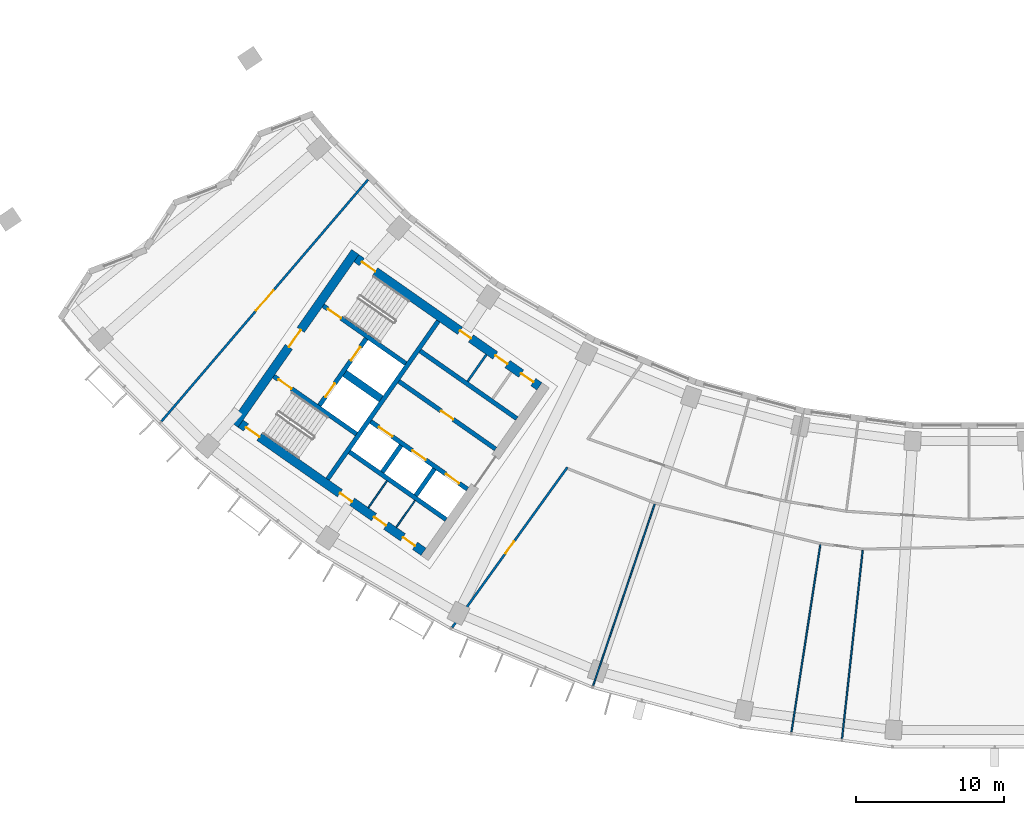
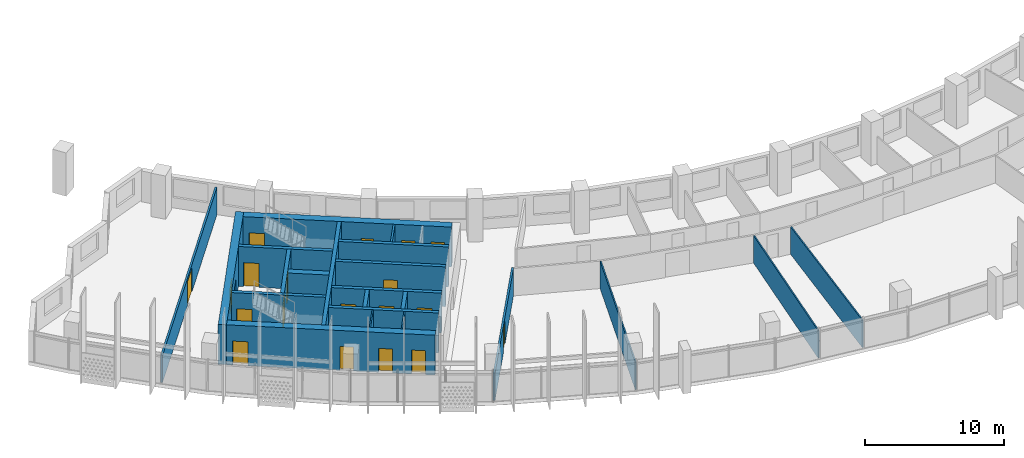
# One storey, part 3 of 27: 22 walls, 19 doors, 19 openings.
"""IFC4 building model written with IfcOpenShell, lengths in metres."""

from ifc_helpers import new_model, si_unit, direction, frame, frame_2d, origin, place, context, subcontext, project, spatial, rectangle, extrude, material, layer, layer_set, type_object, element, fill, save


model = new_model("IFC4")

# Units and contexts
model_context = context("Model", 3, precision=1e-05, world=origin(), true_north=direction((0.0, 1.0)))
body_context = subcontext(model_context, "Body", "Model", "MODEL_VIEW")
ifc_project = project(units=[si_unit("LENGTHUNIT", "METRE"), si_unit("AREAUNIT", "SQUARE_METRE"), si_unit("VOLUMEUNIT", "CUBIC_METRE"), si_unit("PLANEANGLEUNIT", "RADIAN"), si_unit("MASSUNIT", "GRAM", prefix="KILO")], contexts=[model_context])

# Site, building, storey
site_placement = place(None, origin())
site = spatial("IfcSite", under=ifc_project, at=site_placement, CompositionType="ELEMENT")
building_placement = place(site_placement, origin())
building = spatial("IfcBuilding", under=site, at=building_placement, Name="Qamariyya Broadcast Tower", CompositionType="ELEMENT")
storey_placement = place(building_placement, frame((0.0, 0.0, 179.699951171875)))
storey = spatial("IfcBuildingStorey", under=building, at=storey_placement, Name="L42", CompositionType="ELEMENT", Elevation=179.699951171875)

# Wall, opening, door
ifc_material_1 = material(Name="Concrete C60/75", Category="concrete")
ifc_layer_1 = layer(ifc_material_1, 0.60009765625)
ifc_layer_set_1 = layer_set([ifc_layer_1], Name="Core wall 600 mm Concrete C60/75")
wall_type_1 = type_object("IfcWallType", Name="Core wall 600 mm Concrete C60/75", PredefinedType="SHEAR", material=ifc_layer_set_1)
wall_1_placement = place(storey_placement, frame((-49.4833984375, -57.031494140625, 0.0), z_axis=(0.0, 0.0, 1.0), x_axis=(0.573560421458, 0.819163257805, 0.0)))
wall_1 = element("IfcWall", 1, at=wall_1_placement, inside=storey, type_object=wall_type_1, Name="k-W-L42-WH", PredefinedType="SHEAR", context=body_context, shape_type="SweptSolid", body=[
    extrude(rectangle(XDim=14.199951171875, YDim=0.60009765625, at=frame_2d((7.10009765625, 0.0))), origin(), (0.0, 0.0, 1.0), 3.5),
])
opening_1_placement = place(wall_1_placement, frame((6.39990234375, 0.0, 0.0)))
opening_1 = element("IfcOpeningElement", 2, at=opening_1_placement, cuts=wall_1, Name="Opening KD2-W1", PredefinedType="OPENING", context=body_context, shape_type="SweptSolid", body=[
    extrude(rectangle(XDim=1.39990234375, YDim=2.10009765625, at=frame_2d((0.699951171875, 1.050048828125))), frame((0.0, 0.31005859375, 0.0), z_axis=(0.0, -1.0, 0.0), x_axis=(1.0, 0.0, 0.0)), (0.0, 0.0, 1.0), 0.6201171875),
])
ifc_material_2 = material(Name="Steel fire-resisting door leaf", Category="steel")
door_type_1 = type_object("IfcDoorType", Name="Fire-fighting lobby door KD2", OperationType="DOUBLE_DOOR_SINGLE_SWING", PredefinedType="DOOR", material=ifc_material_2)
door_1_placement = place(opening_1_placement, origin())
door_1 = element("IfcDoor", 3, at=door_1_placement, inside=storey, type_object=door_type_1, Name="k-W-L42-WH-D14", OperationType="DOUBLE_DOOR_SINGLE_SWING", OverallHeight=2.10009765625, OverallWidth=1.39990234375, PredefinedType="DOOR", context=body_context, shape_type="SweptSolid", body=[
    extrude(rectangle(XDim=1.39990234375, YDim=2.10009765625, at=frame_2d((0.699951171875, 1.050048828125))), frame((0.0, 0.02490234375, 0.0), z_axis=(0.0, -1.0, 0.0), x_axis=(1.0, 0.0, 0.0)), (0.0, 0.0, 1.0), 0.050048828125),
])
fill(opening_1, door_1)

# Wall, openings, doors
wall_2_placement = place(storey_placement, frame((-28.940673828125, -54.447021484375, 0.0), z_axis=(0.0, 0.0, 1.0), x_axis=(-0.819153391756, 0.573574511963, 0.0)))
wall_2 = element("IfcWall", 4, at=wall_2_placement, inside=storey, type_object=wall_type_1, Name="k-W-L42-WI", PredefinedType="SHEAR", context=body_context, shape_type="SweptSolid", body=[
    extrude(rectangle(XDim=15.04541015625, YDim=0.60009765625, at=frame_2d((7.522705078125, 0.0))), origin(), (0.0, 0.0, 1.0), 3.5),
])
opening_2_placement = place(wall_2_placement, frame((0.5, 0.0, 0.0)))
opening_2 = element("IfcOpeningElement", 5, at=opening_2_placement, cuts=wall_2, Name="Opening KD6-W2", PredefinedType="OPENING", context=body_context, shape_type="SweptSolid", body=[
    extrude(rectangle(XDim=1.0, YDim=2.10009765625, at=frame_2d((0.5, 1.050048828125))), frame((0.0, 0.31005859375, 0.0), z_axis=(0.0, -1.0, 0.0), x_axis=(1.0, 0.0, 0.0)), (0.0, 0.0, 1.0), 0.6201171875),
])
opening_3_placement = place(wall_2_placement, frame((2.625, 0.0, 0.0)))
opening_3 = element("IfcOpeningElement", 6, at=opening_3_placement, cuts=wall_2, Name="Opening KD7-W1", PredefinedType="OPENING", context=body_context, shape_type="SweptSolid", body=[
    extrude(rectangle(XDim=1.0, YDim=2.10009765625, at=frame_2d((0.5, 1.050048828125))), frame((0.0, 0.31005859375, 0.0), z_axis=(0.0, -1.0, 0.0), x_axis=(1.0, 0.0, 0.0)), (0.0, 0.0, 1.0), 0.6201171875),
])
opening_4_placement = place(wall_2_placement, frame((5.625, 0.0, 0.0)))
opening_4 = element("IfcOpeningElement", 7, at=opening_4_placement, cuts=wall_2, Name="Opening KD5-W1", PredefinedType="OPENING", context=body_context, shape_type="SweptSolid", body=[
    extrude(rectangle(XDim=0.89990234375, YDim=2.10009765625, at=frame_2d((0.449951171875, 1.050048828125))), frame((0.0, 0.31005859375, 0.0), z_axis=(0.0, -1.0, 0.0), x_axis=(1.0, 0.0, 0.0)), (0.0, 0.0, 1.0), 0.6201171875),
])
opening_5_placement = place(wall_2_placement, frame((13.495361328125, 0.0, 0.0)))
opening_5 = element("IfcOpeningElement", 8, at=opening_5_placement, cuts=wall_2, Name="Opening KD1-W1", PredefinedType="OPENING", context=body_context, shape_type="SweptSolid", body=[
    extrude(rectangle(XDim=1.10009765625, YDim=2.10009765625, at=frame_2d((0.550048828125, 1.050048828125))), frame((0.0, 0.31005859375, 0.0), z_axis=(0.0, -1.0, 0.0), x_axis=(1.0, 0.0, 0.0)), (0.0, 0.0, 1.0), 0.6201171875),
])
door_type_2 = type_object("IfcDoorType", Name="Accessible toilet door KD7", OperationType="SINGLE_SWING_LEFT", PredefinedType="DOOR", material=ifc_material_2)
door_2_placement = place(opening_3_placement, origin())
door_2 = element("IfcDoor", 9, at=door_2_placement, inside=storey, type_object=door_type_2, Name="k-W-L42-WI-D7", OperationType="SINGLE_SWING_RIGHT", OverallHeight=2.10009765625, OverallWidth=1.0, PredefinedType="DOOR", context=body_context, shape_type="SweptSolid", body=[
    extrude(rectangle(XDim=1.0, YDim=2.10009765625, at=frame_2d((0.5, 1.050048828125))), frame((0.0, 0.02490234375, 0.0), z_axis=(0.0, -1.0, 0.0), x_axis=(1.0, 0.0, 0.0)), (0.0, 0.0, 1.0), 0.050048828125),
])
fill(opening_3, door_2)
door_type_3 = type_object("IfcDoorType", Name="Core room door KD6", OperationType="SINGLE_SWING_LEFT", PredefinedType="DOOR", material=ifc_material_2)
door_3_placement = place(opening_2_placement, origin())
door_3 = element("IfcDoor", 10, at=door_3_placement, inside=storey, type_object=door_type_3, Name="k-W-L42-WI-D6", OperationType="SINGLE_SWING_LEFT", OverallHeight=2.10009765625, OverallWidth=1.0, PredefinedType="DOOR", context=body_context, shape_type="SweptSolid", body=[
    extrude(rectangle(XDim=1.0, YDim=2.10009765625, at=frame_2d((0.5, 1.050048828125))), frame((0.0, 0.02490234375, 0.0), z_axis=(0.0, -1.0, 0.0), x_axis=(1.0, 0.0, 0.0)), (0.0, 0.0, 1.0), 0.050048828125),
])
fill(opening_2, door_3)
door_type_4 = type_object("IfcDoorType", Name="Stair door KD1", OperationType="SINGLE_SWING_LEFT", PredefinedType="DOOR", material=ifc_material_2)
door_4_placement = place(opening_5_placement, origin())
door_4 = element("IfcDoor", 11, at=door_4_placement, inside=storey, type_object=door_type_4, Name="k-W-L42-WI-D15", OperationType="SINGLE_SWING_RIGHT", OverallHeight=2.10009765625, OverallWidth=1.10009765625, PredefinedType="DOOR", context=body_context, shape_type="SweptSolid", body=[
    extrude(rectangle(XDim=1.10009765625, YDim=2.10009765625, at=frame_2d((0.550048828125, 1.050048828125))), frame((0.0, 0.02490234375, 0.0), z_axis=(0.0, -1.0, 0.0), x_axis=(1.0, 0.0, 0.0)), (0.0, 0.0, 1.0), 0.050048828125),
])
fill(opening_5, door_4)
door_type_5 = type_object("IfcDoorType", Name="Toilet door KD5", OperationType="SINGLE_SWING_LEFT", PredefinedType="DOOR", material=ifc_material_2)
door_5_placement = place(opening_4_placement, origin())
door_5 = element("IfcDoor", 12, at=door_5_placement, inside=storey, type_object=door_type_5, Name="k-W-L42-WI-D8", OperationType="SINGLE_SWING_LEFT", OverallHeight=2.10009765625, OverallWidth=0.89990234375, PredefinedType="DOOR", context=body_context, shape_type="SweptSolid", body=[
    extrude(rectangle(XDim=0.89990234375, YDim=2.10009765625, at=frame_2d((0.449951171875, 1.050048828125))), frame((0.0, 0.02490234375, 0.0), z_axis=(0.0, -1.0, 0.0), x_axis=(1.0, 0.0, 0.0)), (0.0, 0.0, 1.0), 0.050048828125),
])
fill(opening_4, door_5)

wall_3_placement = place(storey_placement, frame((-36.7412109375, -65.58740234375, 0.0), z_axis=(0.0, 0.0, 1.0), x_axis=(-0.819153391756, 0.573574511963, 0.0)))
wall_3 = element("IfcWall", 13, at=wall_3_placement, inside=storey, type_object=wall_type_1, Name="k-W-L42-WO", PredefinedType="SHEAR", context=body_context, shape_type="SweptSolid", body=[
    extrude(rectangle(XDim=15.04541015625, YDim=0.60009765625, at=frame_2d((7.522705078125, 0.0))), origin(), (0.0, 0.0, 1.0), 3.5),
])
opening_6_placement = place(wall_3_placement, frame((0.699951171875, 0.0, 0.0)))
opening_6 = element("IfcOpeningElement", 14, at=opening_6_placement, cuts=wall_3, Name="Opening KD6-W3", PredefinedType="OPENING", context=body_context, shape_type="SweptSolid", body=[
    extrude(rectangle(XDim=1.0, YDim=2.10009765625, at=frame_2d((0.5, 1.050048828125))), frame((0.0, 0.31005859375, 0.0), z_axis=(0.0, -1.0, 0.0), x_axis=(1.0, 0.0, 0.0)), (0.0, 0.0, 1.0), 0.6201171875),
])
opening_7_placement = place(wall_3_placement, frame((3.074951171875, 0.0, 0.0)))
opening_7 = element("IfcOpeningElement", 15, at=opening_7_placement, cuts=wall_3, Name="Opening KD4-W1", PredefinedType="OPENING", context=body_context, shape_type="SweptSolid", body=[
    extrude(rectangle(XDim=1.0, YDim=2.10009765625, at=frame_2d((0.5, 1.050048828125))), frame((0.0, 0.31005859375, 0.0), z_axis=(0.0, -1.0, 0.0), x_axis=(1.0, 0.0, 0.0)), (0.0, 0.0, 1.0), 0.6201171875),
])
opening_8_placement = place(wall_3_placement, frame((5.875, 0.0, 0.0)))
opening_8 = element("IfcOpeningElement", 16, at=opening_8_placement, cuts=wall_3, Name="Opening KD4-W2", PredefinedType="OPENING", context=body_context, shape_type="SweptSolid", body=[
    extrude(rectangle(XDim=1.0, YDim=2.10009765625, at=frame_2d((0.5, 1.050048828125))), frame((0.0, 0.31005859375, 0.0), z_axis=(0.0, -1.0, 0.0), x_axis=(1.0, 0.0, 0.0)), (0.0, 0.0, 1.0), 0.6201171875),
])
opening_9_placement = place(wall_3_placement, frame((13.495361328125, 0.0, 0.0)))
opening_9 = element("IfcOpeningElement", 17, at=opening_9_placement, cuts=wall_3, Name="Opening KD1-W3", PredefinedType="OPENING", context=body_context, shape_type="SweptSolid", body=[
    extrude(rectangle(XDim=1.10009765625, YDim=2.10009765625, at=frame_2d((0.550048828125, 1.050048828125))), frame((0.0, 0.31005859375, 0.0), z_axis=(0.0, -1.0, 0.0), x_axis=(1.0, 0.0, 0.0)), (0.0, 0.0, 1.0), 0.6201171875),
])
door_6_placement = place(opening_6_placement, origin())
door_6 = element("IfcDoor", 18, at=door_6_placement, inside=storey, type_object=door_type_3, Name="k-W-L42-WO-D9", OperationType="SINGLE_SWING_RIGHT", OverallHeight=2.10009765625, OverallWidth=1.0, PredefinedType="DOOR", context=body_context, shape_type="SweptSolid", body=[
    extrude(rectangle(XDim=1.0, YDim=2.10009765625, at=frame_2d((0.5, 1.050048828125))), frame((0.0, 0.02490234375, 0.0), z_axis=(0.0, -1.0, 0.0), x_axis=(1.0, 0.0, 0.0)), (0.0, 0.0, 1.0), 0.050048828125),
])
fill(opening_6, door_6)
door_type_6 = type_object("IfcDoorType", Name="Riser and plant door KD4", OperationType="SINGLE_SWING_LEFT", PredefinedType="DOOR", material=ifc_material_2)
door_7_placement = place(opening_7_placement, origin())
door_7 = element("IfcDoor", 19, at=door_7_placement, inside=storey, type_object=door_type_6, Name="k-W-L42-WO-D10", OperationType="SINGLE_SWING_LEFT", OverallHeight=2.10009765625, OverallWidth=1.0, PredefinedType="DOOR", context=body_context, shape_type="SweptSolid", body=[
    extrude(rectangle(XDim=1.0, YDim=2.10009765625, at=frame_2d((0.5, 1.050048828125))), frame((0.0, 0.02490234375, 0.0), z_axis=(0.0, -1.0, 0.0), x_axis=(1.0, 0.0, 0.0)), (0.0, 0.0, 1.0), 0.050048828125),
])
fill(opening_7, door_7)
door_8_placement = place(opening_8_placement, origin())
door_8 = element("IfcDoor", 20, at=door_8_placement, inside=storey, type_object=door_type_6, Name="k-W-L42-WO-D11", OperationType="SINGLE_SWING_RIGHT", OverallHeight=2.10009765625, OverallWidth=1.0, PredefinedType="DOOR", context=body_context, shape_type="SweptSolid", body=[
    extrude(rectangle(XDim=1.0, YDim=2.10009765625, at=frame_2d((0.5, 1.050048828125))), frame((0.0, 0.02490234375, 0.0), z_axis=(0.0, -1.0, 0.0), x_axis=(1.0, 0.0, 0.0)), (0.0, 0.0, 1.0), 0.050048828125),
])
fill(opening_8, door_8)
door_9_placement = place(opening_9_placement, origin())
door_9 = element("IfcDoor", 21, at=door_9_placement, inside=storey, type_object=door_type_4, Name="k-W-L42-WO-D17", OperationType="SINGLE_SWING_LEFT", OverallHeight=2.10009765625, OverallWidth=1.10009765625, PredefinedType="DOOR", context=body_context, shape_type="SweptSolid", body=[
    extrude(rectangle(XDim=1.10009765625, YDim=2.10009765625, at=frame_2d((0.550048828125, 1.050048828125))), frame((0.0, 0.02490234375, 0.0), z_axis=(0.0, -1.0, 0.0), x_axis=(1.0, 0.0, 0.0)), (0.0, 0.0, 1.0), 0.050048828125),
])
fill(opening_9, door_9)

# Wall, opening, door
ifc_material_3 = material(Name="Gypsum board partition")
ifc_layer_2 = layer(ifc_material_3, 0.14990234375)
ifc_layer_set_2 = layer_set([ifc_layer_2], Name="Corridor partition 150 EI 60")
wall_type_2 = type_object("IfcWallType", Name="Corridor partition 150 EI 60", PredefinedType="PARTITIONING", material=ifc_layer_set_2)
wall_4_placement = place(storey_placement, frame((-54.39404296875, -56.8076171875, 0.0), z_axis=(0.0, 0.0, 1.0), x_axis=(0.649633284071, 0.760247720303, 0.0)))
wall_4 = element("IfcWall", 22, at=wall_4_placement, inside=storey, type_object=wall_type_2, Name="Partition L42-001", PredefinedType="PARTITIONING", context=body_context, shape_type="SweptSolid", body=[
    extrude(rectangle(XDim=21.420166015625, YDim=0.14990234375, at=frame_2d((10.7099609375, 0.0))), origin(), (0.0, 0.0, 1.0), 2.400146484375),
])
opening_10_placement = place(wall_4_placement, frame((9.81005859375, 0.0, 0.0)))
opening_10 = element("IfcOpeningElement", 23, at=opening_10_placement, cuts=wall_4, Name="Opening L42-D15", PredefinedType="OPENING", context=body_context, shape_type="SweptSolid", body=[
    extrude(rectangle(XDim=1.800048828125, YDim=2.10009765625, at=frame_2d((0.89990234375, 1.050048828125))), frame((0.0, 0.0849609375, 0.0), z_axis=(0.0, -1.0, 0.0), x_axis=(1.0, 0.0, 0.0)), (0.0, 0.0, 1.0), 0.169921875),
])
ifc_material_4 = material(Name="Timber fire door leaf", Category="wood")
door_type_7 = type_object("IfcDoorType", Name="Double fire door 1800 x 2100 FD60", OperationType="NOTDEFINED", PredefinedType="DOOR", material=ifc_material_4)
door_10_placement = place(opening_10_placement, origin())
door_10 = element("IfcDoor", 24, at=door_10_placement, inside=storey, type_object=door_type_7, Name="Door L42-D15", OperationType="DOUBLE_DOOR_SINGLE_SWING", OverallHeight=2.10009765625, OverallWidth=1.800048828125, PredefinedType="DOOR", context=body_context, shape_type="SweptSolid", body=[
    extrude(rectangle(XDim=1.800048828125, YDim=2.10009765625, at=frame_2d((0.89990234375, 1.050048828125))), frame((0.0, 0.02490234375, 0.0), z_axis=(0.0, -1.0, 0.0), x_axis=(1.0, 0.0, 0.0)), (0.0, 0.0, 1.0), 0.050048828125),
])
fill(opening_10, door_10)

wall_5_placement = place(storey_placement, frame((-27.056884765625, -59.899169921875, 0.0), z_axis=(0.0, 0.0, 1.0), x_axis=(-0.584166374063, -0.81163393683, 0.0)))
wall_5 = element("IfcWall", 25, at=wall_5_placement, inside=storey, type_object=wall_type_2, Name="Partition L42-002", PredefinedType="PARTITIONING", context=body_context, shape_type="SweptSolid", body=[
    extrude(rectangle(XDim=13.296142578125, YDim=0.14990234375, at=frame_2d((6.64794921875, 0.0))), origin(), (0.0, 0.0, 1.0), 2.400146484375),
])
opening_11_placement = place(wall_5_placement, frame((6.14794921875, 0.0, 0.0)))
opening_11 = element("IfcOpeningElement", 26, at=opening_11_placement, cuts=wall_5, Name="Opening L42-D01", PredefinedType="OPENING", context=body_context, shape_type="SweptSolid", body=[
    extrude(rectangle(XDim=1.0, YDim=2.10009765625, at=frame_2d((0.5, 1.050048828125))), frame((0.0, 0.0849609375, 0.0), z_axis=(0.0, -1.0, 0.0), x_axis=(1.0, 0.0, 0.0)), (0.0, 0.0, 1.0), 0.169921875),
])
door_type_8 = type_object("IfcDoorType", Name="Fire door 1000 x 2100 FD60", OperationType="NOTDEFINED", PredefinedType="DOOR", material=ifc_material_4)
door_11_placement = place(opening_11_placement, origin())
door_11 = element("IfcDoor", 27, at=door_11_placement, inside=storey, type_object=door_type_8, Name="Door L42-D01", OperationType="SINGLE_SWING_RIGHT", OverallHeight=2.10009765625, OverallWidth=1.0, PredefinedType="DOOR", context=body_context, shape_type="SweptSolid", body=[
    extrude(rectangle(XDim=1.0, YDim=2.10009765625, at=frame_2d((0.5, 1.050048828125))), frame((0.0, 0.02490234375, 0.0), z_axis=(0.0, -1.0, 0.0), x_axis=(1.0, 0.0, 0.0)), (0.0, 0.0, 1.0), 0.050048828125),
])
fill(opening_11, door_11)

# Walls
ifc_layer_3 = layer(ifc_material_1, 0.5)
ifc_layer_set_3 = layer_set([ifc_layer_3], Name="Fire-fighting lobby divider wall 500 mm Concrete C60/75")
wall_type_3 = type_object("IfcWallType", Name="Fire-fighting lobby divider wall 500 mm Concrete C60/75", PredefinedType="SOLIDWALL", material=ifc_layer_set_3)
wall_6_placement = place(storey_placement, frame((-39.59912109375, -55.28515625, 0.0), z_axis=(0.0, 0.0, 1.0), x_axis=(-0.819136323161, 0.573598887793, 0.0)))
element("IfcWall", 28, at=wall_6_placement, inside=storey, type_object=wall_type_3, Name="k-W-L42-FD", PredefinedType="SOLIDWALL", context=body_context, shape_type="SweptSolid", body=[
    extrude(rectangle(XDim=2.999755859375, YDim=0.5, at=frame_2d((1.5, 0.0))), origin(), (0.0, 0.0, 1.0), 3.5),
])
ifc_material_5 = material(Name="Gypsum board partition on steel studs", Category="steel")
ifc_layer_4 = layer(ifc_material_5, 0.14990234375)
ifc_layer_set_4 = layer_set([ifc_layer_4], Name="Gypsum board partition 150 mm")
wall_type_4 = type_object("IfcWallType", Name="Gypsum board partition 150 mm", PredefinedType="PARTITIONING", material=ifc_layer_set_4)
wall_7_placement = place(storey_placement, frame((-33.774169921875, -54.114501953125, 0.0), z_axis=(0.0, 0.0, 1.0), x_axis=(0.573581496053, 0.819148501424, 0.0)))
element("IfcWall", 29, at=wall_7_placement, inside=storey, type_object=wall_type_4, Name="k-W-L42-NP415", PredefinedType="PARTITIONING", context=body_context, shape_type="SweptSolid", body=[
    extrude(rectangle(XDim=2.2001953125, YDim=0.14990234375, at=frame_2d((1.10009765625, 0.0))), origin(), (0.0, 0.0, 1.0), 3.5),
])
ifc_layer_5 = layer(ifc_material_1, 0.300048828125)
ifc_layer_set_5 = layer_set([ifc_layer_5], Name="Lift shaft wall 300 mm Concrete C60/75")
wall_type_5 = type_object("IfcWallType", Name="Lift shaft wall 300 mm Concrete C60/75", PredefinedType="SOLIDWALL", material=ifc_layer_set_5)
wall_8_placement = place(storey_placement, frame((-43.204345703125, -60.69580078125, 0.0), z_axis=(0.0, 0.0, 1.0), x_axis=(0.573571992966, 0.819155155563, 0.0)))
element("IfcWall", 30, at=wall_8_placement, inside=storey, type_object=wall_type_5, Name="k-W-L42-WL", PredefinedType="SOLIDWALL", context=body_context, shape_type="SweptSolid", body=[
    extrude(rectangle(XDim=13.000244140625, YDim=0.300048828125, at=frame_2d((6.5, 0.0))), origin(), (0.0, 0.0, 1.0), 3.5),
])

# Wall, opening, door
wall_9_placement = place(storey_placement, frame((-31.89453125, -58.66552734375, 0.0), z_axis=(0.0, 0.0, 1.0), x_axis=(-0.819166993208, 0.573555086491, 0.0)))
wall_9 = element("IfcWall", 31, at=wall_9_placement, inside=storey, type_object=wall_type_5, Name="k-W-L42-NF0", PredefinedType="SOLIDWALL", context=body_context, shape_type="SweptSolid", body=[
    extrude(rectangle(XDim=7.9501953125, YDim=0.300048828125, at=frame_2d((3.97509765625, 0.0))), origin(), (0.0, 0.0, 1.0), 3.5),
])
opening_12_placement = place(wall_9_placement, frame((3.47509765625, 0.0, 0.0)))
opening_12 = element("IfcOpeningElement", 32, at=opening_12_placement, cuts=wall_9, Name="Opening KD6-W1", PredefinedType="OPENING", context=body_context, shape_type="SweptSolid", body=[
    extrude(rectangle(XDim=1.0, YDim=2.10009765625, at=frame_2d((0.5, 1.050048828125))), frame((0.0, 0.159912109375, 0.0), z_axis=(0.0, -1.0, 0.0), x_axis=(1.0, 0.0, 0.0)), (0.0, 0.0, 1.0), 0.320068359375),
])
door_12_placement = place(opening_12_placement, origin())
door_12 = element("IfcDoor", 33, at=door_12_placement, inside=storey, type_object=door_type_3, Name="k-W-L42-NF0-D2", OperationType="SINGLE_SWING_LEFT", OverallHeight=2.10009765625, OverallWidth=1.0, PredefinedType="DOOR", context=body_context, shape_type="SweptSolid", body=[
    extrude(rectangle(XDim=1.0, YDim=2.10009765625, at=frame_2d((0.5, 1.050048828125))), frame((0.0, 0.02490234375, 0.0), z_axis=(0.0, -1.0, 0.0), x_axis=(1.0, 0.0, 0.0)), (0.0, 0.0, 1.0), 0.050048828125),
])
fill(opening_12, door_12)

# Wall
wall_10_placement = place(storey_placement, frame((-30.460693359375, -56.61767578125, 0.0), z_axis=(0.0, 0.0, 1.0), x_axis=(-0.819142461705, 0.573590121456, 0.0)))
element("IfcWall", 34, at=wall_10_placement, inside=storey, type_object=wall_type_5, Name="k-W-L42-NB0", PredefinedType="SOLIDWALL", context=body_context, shape_type="SweptSolid", body=[
    extrude(rectangle(XDim=7.949951171875, YDim=0.300048828125, at=frame_2d((3.97509765625, 0.0))), origin(), (0.0, 0.0, 1.0), 3.5),
])

# Wall, openings, doors
wall_11_placement = place(storey_placement, frame((-33.787353515625, -61.368896484375, 0.0), z_axis=(0.0, 0.0, 1.0), x_axis=(-0.819152564888, 0.573575692858, 0.0)))
wall_11 = element("IfcWall", 35, at=wall_11_placement, inside=storey, type_object=wall_type_5, Name="k-W-L42-SF0", PredefinedType="SOLIDWALL", context=body_context, shape_type="SweptSolid", body=[
    extrude(rectangle(XDim=7.9501953125, YDim=0.300048828125, at=frame_2d((3.97509765625, 0.0))), origin(), (0.0, 0.0, 1.0), 3.5),
])
opening_13_placement = place(wall_11_placement, frame((0.675048828125, 0.0, 0.0)))
opening_13 = element("IfcOpeningElement", 36, at=opening_13_placement, cuts=wall_11, Name="Opening LD", PredefinedType="OPENING", context=body_context, shape_type="SweptSolid", body=[
    extrude(rectangle(XDim=1.10009765625, YDim=2.10009765625, at=frame_2d((0.550048828125, 1.050048828125))), frame((0.0, 0.159912109375, 0.0), z_axis=(0.0, -1.0, 0.0), x_axis=(1.0, 0.0, 0.0)), (0.0, 0.0, 1.0), 0.320068359375),
])
opening_14_placement = place(wall_11_placement, frame((3.425048828125, 0.0, 0.0)))
opening_14 = element("IfcOpeningElement", 37, at=opening_14_placement, cuts=wall_11, Name="Opening LD", PredefinedType="OPENING", context=body_context, shape_type="SweptSolid", body=[
    extrude(rectangle(XDim=1.10009765625, YDim=2.10009765625, at=frame_2d((0.550048828125, 1.050048828125))), frame((0.0, 0.159912109375, 0.0), z_axis=(0.0, -1.0, 0.0), x_axis=(1.0, 0.0, 0.0)), (0.0, 0.0, 1.0), 0.320068359375),
])
opening_15_placement = place(wall_11_placement, frame((6.175048828125, 0.0, 0.0)))
opening_15 = element("IfcOpeningElement", 38, at=opening_15_placement, cuts=wall_11, Name="Opening LD", PredefinedType="OPENING", context=body_context, shape_type="SweptSolid", body=[
    extrude(rectangle(XDim=1.10009765625, YDim=2.10009765625, at=frame_2d((0.550048828125, 1.050048828125))), frame((0.0, 0.159912109375, 0.0), z_axis=(0.0, -1.0, 0.0), x_axis=(1.0, 0.0, 0.0)), (0.0, 0.0, 1.0), 0.320068359375),
])
door_type_9 = type_object("IfcDoorType", Name="Lift landing door LD", OperationType="DOUBLE_DOOR_SLIDING", PredefinedType="DOOR", material=ifc_material_2)
door_13_placement = place(opening_13_placement, origin())
door_13 = element("IfcDoor", 39, at=door_13_placement, inside=storey, type_object=door_type_9, Name="k-W-L42-SF0-D3", OperationType="DOUBLE_DOOR_SLIDING", OverallHeight=2.10009765625, OverallWidth=1.10009765625, PredefinedType="DOOR", context=body_context, shape_type="SweptSolid", body=[
    extrude(rectangle(XDim=1.10009765625, YDim=2.10009765625, at=frame_2d((0.550048828125, 1.050048828125))), frame((0.0, 0.02490234375, 0.0), z_axis=(0.0, -1.0, 0.0), x_axis=(1.0, 0.0, 0.0)), (0.0, 0.0, 1.0), 0.050048828125),
])
fill(opening_13, door_13)
door_14_placement = place(opening_14_placement, origin())
door_14 = element("IfcDoor", 40, at=door_14_placement, inside=storey, type_object=door_type_9, Name="k-W-L42-SF0-D4", OperationType="DOUBLE_DOOR_SLIDING", OverallHeight=2.10009765625, OverallWidth=1.10009765625, PredefinedType="DOOR", context=body_context, shape_type="SweptSolid", body=[
    extrude(rectangle(XDim=1.10009765625, YDim=2.10009765625, at=frame_2d((0.550048828125, 1.050048828125))), frame((0.0, 0.02490234375, 0.0), z_axis=(0.0, -1.0, 0.0), x_axis=(1.0, 0.0, 0.0)), (0.0, 0.0, 1.0), 0.050048828125),
])
fill(opening_14, door_14)
door_15_placement = place(opening_15_placement, origin())
door_15 = element("IfcDoor", 41, at=door_15_placement, inside=storey, type_object=door_type_9, Name="k-W-L42-SF0-D5", OperationType="DOUBLE_DOOR_SLIDING", OverallHeight=2.10009765625, OverallWidth=1.10009765625, PredefinedType="DOOR", context=body_context, shape_type="SweptSolid", body=[
    extrude(rectangle(XDim=1.10009765625, YDim=2.10009765625, at=frame_2d((0.550048828125, 1.050048828125))), frame((0.0, 0.02490234375, 0.0), z_axis=(0.0, -1.0, 0.0), x_axis=(1.0, 0.0, 0.0)), (0.0, 0.0, 1.0), 0.050048828125),
])
fill(opening_15, door_15)

# Walls
wall_12_placement = place(storey_placement, frame((-35.22119140625, -63.41650390625, 0.0), z_axis=(0.0, 0.0, 1.0), x_axis=(-0.819166993208, 0.573555086491, 0.0)))
element("IfcWall", 42, at=wall_12_placement, inside=storey, type_object=wall_type_5, Name="k-W-L42-SB0", PredefinedType="SOLIDWALL", context=body_context, shape_type="SweptSolid", body=[
    extrude(rectangle(XDim=7.9501953125, YDim=0.300048828125, at=frame_2d((3.97509765625, 0.0))), origin(), (0.0, 0.0, 1.0), 3.5),
])
wall_13_placement = place(storey_placement, frame((-36.003173828125, -60.000244140625, 0.0), z_axis=(0.0, 0.0, 1.0), x_axis=(-0.573581496053, -0.819148501424, 0.0)))
element("IfcWall", 43, at=wall_13_placement, inside=storey, type_object=wall_type_5, Name="k-W-L42-SD0", PredefinedType="SOLIDWALL", context=body_context, shape_type="SweptSolid", body=[
    extrude(rectangle(XDim=2.2001953125, YDim=0.300048828125, at=frame_2d((1.10009765625, 0.0))), origin(), (0.0, 0.0, 1.0), 3.5),
])
wall_14_placement = place(storey_placement, frame((-38.255859375, -58.423095703125, 0.0), z_axis=(0.0, 0.0, 1.0), x_axis=(-0.573633636671, -0.819111989218, 0.0)))
element("IfcWall", 44, at=wall_14_placement, inside=storey, type_object=wall_type_5, Name="k-W-L42-SD1", PredefinedType="SOLIDWALL", context=body_context, shape_type="SweptSolid", body=[
    extrude(rectangle(XDim=2.199951171875, YDim=0.300048828125, at=frame_2d((1.10009765625, 0.0))), origin(), (0.0, 0.0, 1.0), 3.5),
])

# Wall, opening, door
wall_15_placement = place(storey_placement, frame((-37.935546875, -52.90966796875, 0.0), z_axis=(0.0, 0.0, 1.0), x_axis=(-0.819147518138, 0.57358290031, 0.0)))
wall_15 = element("IfcWall", 45, at=wall_15_placement, inside=storey, type_object=wall_type_5, Name="k-W-L42-NW", PredefinedType="SOLIDWALL", context=body_context, shape_type="SweptSolid", body=[
    extrude(rectangle(XDim=6.79541015625, YDim=0.300048828125, at=frame_2d((3.397705078125, 0.0))), origin(), (0.0, 0.0, 1.0), 3.5),
])
opening_16_placement = place(wall_15_placement, frame((5.3203125, 0.0, 0.0)))
opening_16 = element("IfcOpeningElement", 46, at=opening_16_placement, cuts=wall_15, Name="Opening KD1-W2", PredefinedType="OPENING", context=body_context, shape_type="SweptSolid", body=[
    extrude(rectangle(XDim=1.10009765625, YDim=2.10009765625, at=frame_2d((0.550048828125, 1.050048828125))), frame((0.0, 0.159912109375, 0.0), z_axis=(0.0, -1.0, 0.0), x_axis=(1.0, 0.0, 0.0)), (0.0, 0.0, 1.0), 0.320068359375),
])
door_16_placement = place(opening_16_placement, origin())
door_16 = element("IfcDoor", 47, at=door_16_placement, inside=storey, type_object=door_type_4, Name="k-W-L42-NW-D16", OperationType="SINGLE_SWING_LEFT", OverallHeight=2.10009765625, OverallWidth=1.10009765625, PredefinedType="DOOR", context=body_context, shape_type="SweptSolid", body=[
    extrude(rectangle(XDim=1.10009765625, YDim=2.10009765625, at=frame_2d((0.550048828125, 1.050048828125))), frame((0.0, 0.02490234375, 0.0), z_axis=(0.0, -1.0, 0.0), x_axis=(1.0, 0.0, 0.0)), (0.0, 0.0, 1.0), 0.050048828125),
])
fill(opening_16, door_16)

wall_16_placement = place(storey_placement, frame((-41.262451171875, -57.66064453125, 0.0), z_axis=(0.0, 0.0, 1.0), x_axis=(-0.819164398642, 0.573558792102, 0.0)))
wall_16 = element("IfcWall", 48, at=wall_16_placement, inside=storey, type_object=wall_type_5, Name="k-W-L42-SW", PredefinedType="SOLIDWALL", context=body_context, shape_type="SweptSolid", body=[
    extrude(rectangle(XDim=6.795166015625, YDim=0.300048828125, at=frame_2d((3.3974609375, 0.0))), origin(), (0.0, 0.0, 1.0), 3.5),
])
opening_17_placement = place(wall_16_placement, frame((5.3203125, 0.0, 0.0)))
opening_17 = element("IfcOpeningElement", 49, at=opening_17_placement, cuts=wall_16, Name="Opening KD1-W4", PredefinedType="OPENING", context=body_context, shape_type="SweptSolid", body=[
    extrude(rectangle(XDim=1.10009765625, YDim=2.10009765625, at=frame_2d((0.550048828125, 1.050048828125))), frame((0.0, 0.159912109375, 0.0), z_axis=(0.0, -1.0, 0.0), x_axis=(1.0, 0.0, 0.0)), (0.0, 0.0, 1.0), 0.320068359375),
])
door_17_placement = place(opening_17_placement, origin())
door_17 = element("IfcDoor", 50, at=door_17_placement, inside=storey, type_object=door_type_4, Name="k-W-L42-SW-D18", OperationType="SINGLE_SWING_LEFT", OverallHeight=2.10009765625, OverallWidth=1.10009765625, PredefinedType="DOOR", context=body_context, shape_type="SweptSolid", body=[
    extrude(rectangle(XDim=1.10009765625, YDim=2.10009765625, at=frame_2d((0.550048828125, 1.050048828125))), frame((0.0, 0.02490234375, 0.0), z_axis=(0.0, -1.0, 0.0), x_axis=(1.0, 0.0, 0.0)), (0.0, 0.0, 1.0), 0.050048828125),
])
fill(opening_17, door_17)

# Wall, openings, doors
wall_17_placement = place(storey_placement, frame((-43.756591796875, -55.731201171875, 0.0), z_axis=(0.0, 0.0, 1.0), x_axis=(0.573536818435, 0.819179783625, 0.0)))
wall_17 = element("IfcWall", 51, at=wall_17_placement, inside=storey, type_object=wall_type_5, Name="k-W-L42-FF", PredefinedType="SOLIDWALL", context=body_context, shape_type="SweptSolid", body=[
    extrude(rectangle(XDim=5.500244140625, YDim=0.300048828125, at=frame_2d((2.75, 0.0))), origin(), (0.0, 0.0, 1.0), 3.5),
])
opening_18_placement = place(wall_17_placement, frame((0.699951171875, 0.0, 0.0)))
opening_18 = element("IfcOpeningElement", 52, at=opening_18_placement, cuts=wall_17, Name="Opening LD", PredefinedType="OPENING", context=body_context, shape_type="SweptSolid", body=[
    extrude(rectangle(XDim=1.10009765625, YDim=2.10009765625, at=frame_2d((0.550048828125, 1.050048828125))), frame((0.0, 0.159912109375, 0.0), z_axis=(0.0, -1.0, 0.0), x_axis=(1.0, 0.0, 0.0)), (0.0, 0.0, 1.0), 0.320068359375),
])
opening_19_placement = place(wall_17_placement, frame((3.699951171875, 0.0, 0.0)))
opening_19 = element("IfcOpeningElement", 53, at=opening_19_placement, cuts=wall_17, Name="Opening LD", PredefinedType="OPENING", context=body_context, shape_type="SweptSolid", body=[
    extrude(rectangle(XDim=1.10009765625, YDim=2.10009765625, at=frame_2d((0.550048828125, 1.050048828125))), frame((0.0, 0.159912109375, 0.0), z_axis=(0.0, -1.0, 0.0), x_axis=(1.0, 0.0, 0.0)), (0.0, 0.0, 1.0), 0.320068359375),
])
door_18_placement = place(opening_18_placement, origin())
door_18 = element("IfcDoor", 54, at=door_18_placement, inside=storey, type_object=door_type_9, Name="k-W-L42-FF-D12", OperationType="DOUBLE_DOOR_SLIDING", OverallHeight=2.10009765625, OverallWidth=1.10009765625, PredefinedType="DOOR", context=body_context, shape_type="SweptSolid", body=[
    extrude(rectangle(XDim=1.10009765625, YDim=2.10009765625, at=frame_2d((0.550048828125, 1.050048828125))), frame((0.0, 0.02490234375, 0.0), z_axis=(0.0, -1.0, 0.0), x_axis=(1.0, 0.0, 0.0)), (0.0, 0.0, 1.0), 0.050048828125),
])
fill(opening_18, door_18)
door_19_placement = place(opening_19_placement, origin())
door_19 = element("IfcDoor", 55, at=door_19_placement, inside=storey, type_object=door_type_9, Name="k-W-L42-FF-D13", OperationType="DOUBLE_DOOR_SLIDING", OverallHeight=2.10009765625, OverallWidth=1.10009765625, PredefinedType="DOOR", context=body_context, shape_type="SweptSolid", body=[
    extrude(rectangle(XDim=1.10009765625, YDim=2.10009765625, at=frame_2d((0.550048828125, 1.050048828125))), frame((0.0, 0.02490234375, 0.0), z_axis=(0.0, -1.0, 0.0), x_axis=(1.0, 0.0, 0.0)), (0.0, 0.0, 1.0), 0.050048828125),
])
fill(opening_19, door_19)

# Walls
ifc_layer_6 = layer(ifc_material_3, 0.10009765625)
ifc_layer_set_6 = layer_set([ifc_layer_6], Name="Partition 100")
wall_type_6 = type_object("IfcWallType", Name="Partition 100", PredefinedType="PARTITIONING", material=ifc_layer_set_6)
wall_18_placement = place(storey_placement, frame((-25.329345703125, -74.6181640625, 0.0), z_axis=(0.0, 0.0, 1.0), x_axis=(0.321430642641, 0.946933124339, 0.0)))
element("IfcWall", 56, at=wall_18_placement, inside=storey, type_object=wall_type_6, Name="Partition L42-005", PredefinedType="PARTITIONING", context=body_context, shape_type="SweptSolid", body=[
    extrude(rectangle(XDim=12.925048828125, YDim=0.10009765625, at=frame_2d((6.46240234375, 0.0))), origin(), (0.0, 0.0, 1.0), 2.400146484375),
])
wall_19_placement = place(storey_placement, frame((-11.966552734375, -77.73388671875, 0.0), z_axis=(0.0, 0.0, 1.0), x_axis=(0.152147660046, 0.988357774059, 0.0)))
element("IfcWall", 57, at=wall_19_placement, inside=storey, type_object=wall_type_6, Name="Partition L42-011", PredefinedType="PARTITIONING", context=body_context, shape_type="SweptSolid", body=[
    extrude(rectangle(XDim=12.7744140625, YDim=0.10009765625, at=frame_2d((6.38720703125, 0.0))), origin(), (0.0, 0.0, 1.0), 2.400146484375),
])
wall_20_placement = place(storey_placement, frame((-8.56005859375, -78.182373046875, 0.0), z_axis=(0.0, 0.0, 1.0), x_axis=(0.108839313153, 0.994059356333, 0.0)))
element("IfcWall", 58, at=wall_20_placement, inside=storey, type_object=wall_type_6, Name="Partition L42-014", PredefinedType="PARTITIONING", context=body_context, shape_type="SweptSolid", body=[
    extrude(rectangle(XDim=12.774658203125, YDim=0.10009765625, at=frame_2d((6.38720703125, 0.0))), origin(), (0.0, 0.0, 1.0), 2.400146484375),
])
ifc_material_6 = material(Name="Fire-rated gypsum shaft liner on steel studs", Category="steel")
ifc_layer_7 = layer(ifc_material_6, 0.10009765625)
ifc_layer_set_7 = layer_set([ifc_layer_7], Name="Riser wall 100 mm")
wall_type_7 = type_object("IfcWallType", Name="Riser wall 100 mm", PredefinedType="PLUMBINGWALL", material=ifc_layer_set_7)
wall_21_placement = place(storey_placement, frame((-37.314208984375, -62.13427734375, 0.0), z_axis=(0.0, 0.0, 1.0), x_axis=(-0.573633636671, -0.819111989218, 0.0)))
element("IfcWall", 59, at=wall_21_placement, inside=storey, type_object=wall_type_7, Name="k-W-L42-SP245", PredefinedType="PLUMBINGWALL", context=body_context, shape_type="SweptSolid", body=[
    extrude(rectangle(XDim=2.199951171875, YDim=0.10009765625, at=frame_2d((1.10009765625, 0.0))), origin(), (0.0, 0.0, 1.0), 3.5),
])
wall_22_placement = place(storey_placement, frame((-39.1982421875, -60.81494140625, 0.0), z_axis=(0.0, 0.0, 1.0), x_axis=(-0.573581496053, -0.819148501424, 0.0)))
element("IfcWall", 60, at=wall_22_placement, inside=storey, type_object=wall_type_7, Name="k-W-L42-SP475", PredefinedType="PLUMBINGWALL", context=body_context, shape_type="SweptSolid", body=[
    extrude(rectangle(XDim=2.2001953125, YDim=0.10009765625, at=frame_2d((1.10009765625, 0.0))), origin(), (0.0, 0.0, 1.0), 3.5),
])

save(model, "model.ifc")
